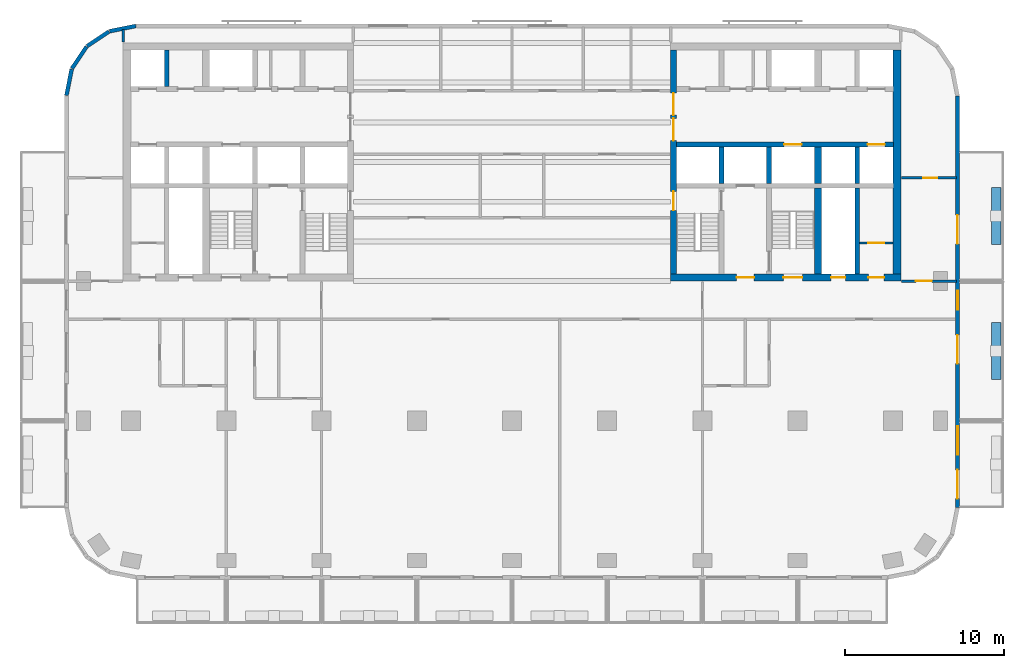
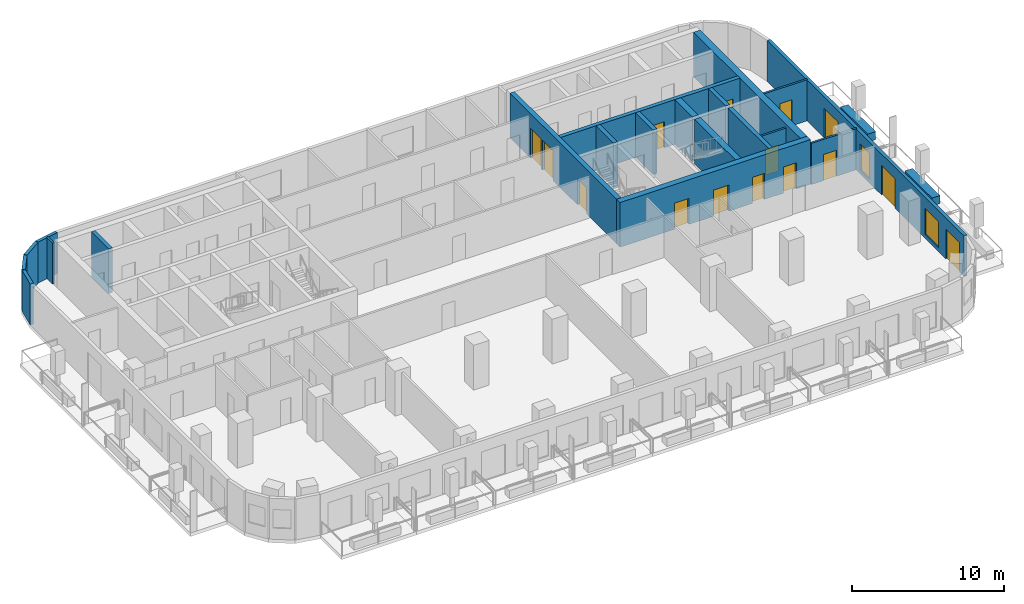
# One storey, part 5 of 11: 22 walls, 15 doors, 2 windows, 17 openings.
"""IFC4 building model written with IfcOpenShell, lengths in metres."""

from ifc_helpers import new_model, si_unit, direction, frame, frame_2d, origin, place, context, subcontext, project, spatial, rectangle, extrude, material, layer, layer_set, type_object, element, fill, save


model = new_model("IFC4")

# Units and contexts
model_context = context("Model", 3, precision=1e-05, world=origin(), true_north=direction((0.0, 1.0)))
body_context = subcontext(model_context, "Body", "Model", "MODEL_VIEW")
ifc_project = project(units=[si_unit("LENGTHUNIT", "METRE"), si_unit("AREAUNIT", "SQUARE_METRE"), si_unit("VOLUMEUNIT", "CUBIC_METRE"), si_unit("PLANEANGLEUNIT", "RADIAN"), si_unit("MASSUNIT", "GRAM", prefix="KILO")], contexts=[model_context])

# Site, building, storey
site_placement = place(None, origin())
site = spatial("IfcSite", under=ifc_project, at=site_placement, CompositionType="ELEMENT")
building_placement = place(site_placement, origin())
building = spatial("IfcBuilding", under=site, at=building_placement, Name="Torana Hotel and Residences", CompositionType="ELEMENT")
storey_placement = place(building_placement, frame((0.0, 0.0, 174.0)))
storey = spatial("IfcBuildingStorey", under=building, at=storey_placement, Name="L45", CompositionType="ELEMENT", Elevation=174.0)

# Wall
ifc_material_1 = material(Name="Concrete C70/85", Category="concrete")
ifc_layer_1 = layer(ifc_material_1, 0.300048828125)
ifc_layer_set_1 = layer_set([ifc_layer_1], Name="CORE WALL 300 C70/85")
wall_type_1 = type_object("IfcWallType", Name="CORE WALL 300 C70/85", PredefinedType="SHEAR", material=ifc_layer_set_1)
wall_1_placement = place(storey_placement, frame((-21.75, -2.75, 0.0), z_axis=(0.0, 0.0, 1.0), x_axis=(0.0, 1.0, 0.0)))
element("IfcWall", 1, at=wall_1_placement, inside=storey, type_object=wall_type_1, Name="Core wall W mm-N", PredefinedType="SHEAR", context=body_context, shape_type="SweptSolid", body=[
    extrude(rectangle(XDim=2.300048828125, YDim=0.300048828125, at=frame_2d((1.14990234375, 0.0))), origin(), (0.0, 0.0, 1.0), 3.60009765625),
])

# Wall, openings, doors
wall_2_placement = place(storey_placement, frame((10.35009765625, -6.39990234375, 0.0), z_axis=(0.0, 0.0, 1.0), x_axis=(1.0, 0.0, 0.0)))
wall_2 = element("IfcWall", 2, at=wall_2_placement, inside=storey, type_object=wall_type_1, Name="Core wall E row-S", PredefinedType="SHEAR", context=body_context, shape_type="SweptSolid", body=[
    extrude(rectangle(XDim=13.699951171875, YDim=0.300048828125, at=frame_2d((6.85009765625, 0.0))), origin(), (0.0, 0.0, 1.0), 3.60009765625),
])
opening_1_placement = place(wall_2_placement, frame((12.050048828125, 0.0, 0.0)))
opening_1 = element("IfcOpeningElement", 3, at=opening_1_placement, cuts=wall_2, Name="Opening LD", PredefinedType="OPENING", context=body_context, shape_type="SweptSolid", body=[
    extrude(rectangle(XDim=1.10009765625, YDim=2.10009765625, at=frame_2d((0.550048828125, 1.050048828125))), frame((0.0, 0.159912109375, 0.0), z_axis=(0.0, -1.0, 0.0), x_axis=(1.0, 0.0, 0.0)), (0.0, 0.0, 1.0), 0.320068359375),
])
opening_2_placement = place(wall_2_placement, frame((6.800048828125, 0.0, 0.0)))
opening_2 = element("IfcOpeningElement", 4, at=opening_2_placement, cuts=wall_2, Name="Opening LD", PredefinedType="OPENING", context=body_context, shape_type="SweptSolid", body=[
    extrude(rectangle(XDim=1.10009765625, YDim=2.10009765625, at=frame_2d((0.550048828125, 1.050048828125))), frame((0.0, 0.159912109375, 0.0), z_axis=(0.0, -1.0, 0.0), x_axis=(1.0, 0.0, 0.0)), (0.0, 0.0, 1.0), 0.320068359375),
])
ifc_material_2 = material(Name="Stainless steel 316", Category="steel")
door_type_1 = type_object("IfcDoorType", Name="LIFT LANDING DOOR LD 1100x2100", OperationType="DOUBLE_DOOR_SLIDING", PredefinedType="USERDEFINED", material=ifc_material_2)
door_1_placement = place(opening_1_placement, origin())
door_1 = element("IfcDoor", 5, at=door_1_placement, inside=storey, type_object=door_type_1, Name="Lift landing door M4 L45", ObjectType="LIFT LANDING DOOR", OperationType="DOUBLE_DOOR_SLIDING", OverallHeight=2.10009765625, OverallWidth=1.10009765625, PredefinedType="USERDEFINED", context=body_context, shape_type="SweptSolid", body=[
    extrude(rectangle(XDim=1.10009765625, YDim=2.10009765625, at=frame_2d((0.550048828125, 1.050048828125))), frame((0.0, 0.02490234375, 0.0), z_axis=(0.0, -1.0, 0.0), x_axis=(1.0, 0.0, 0.0)), (0.0, 0.0, 1.0), 0.050048828125),
])
fill(opening_1, door_1)
door_2_placement = place(opening_2_placement, origin())
door_2 = element("IfcDoor", 6, at=door_2_placement, inside=storey, type_object=door_type_1, Name="Lift landing door SV2 L45", ObjectType="LIFT LANDING DOOR", OperationType="DOUBLE_DOOR_SLIDING", OverallHeight=2.10009765625, OverallWidth=1.10009765625, PredefinedType="USERDEFINED", context=body_context, shape_type="SweptSolid", body=[
    extrude(rectangle(XDim=1.10009765625, YDim=2.10009765625, at=frame_2d((0.550048828125, 1.050048828125))), frame((0.0, 0.02490234375, 0.0), z_axis=(0.0, -1.0, 0.0), x_axis=(1.0, 0.0, 0.0)), (0.0, 0.0, 1.0), 0.050048828125),
])
fill(opening_2, door_2)

# Walls
for number, where, z_axis, x_axis, name in (
    (7, (13.199951171875, -8.85009765625, 0.0), (0.0, 0.0, 1.0), (0.0, 1.0, 0.0), "Core wall E x3.05-S"),
    (8, (16.199951171875, -8.85009765625, 0.0), (0.0, 0.0, 1.0), (0.0, 1.0, 0.0), "Core wall E x6.05-S"),
    (9, (21.75, -8.85009765625, 0.0), (0.0, 0.0, 1.0), (0.0, 1.0, 0.0), "Core wall E mm-S"),
):
    element("IfcWall", number, at=place(storey_placement, frame(where, z_axis=z_axis, x_axis=x_axis)), inside=storey, type_object=wall_type_1, Name=name, PredefinedType="SHEAR", context=body_context, shape_type="SweptSolid", body=[
        extrude(rectangle(XDim=2.300048828125, YDim=0.300048828125, at=frame_2d((1.14990234375, 0.0))), origin(), (0.0, 0.0, 1.0), 3.60009765625),
    ])
wall_3_placement = place(storey_placement, frame((21.75, -14.550048828125, 0.0), z_axis=(0.0, 0.0, 1.0), x_axis=(0.0, 1.0, 0.0)))
element("IfcWall", 10, at=wall_3_placement, inside=storey, type_object=wall_type_1, Name="Core wall E mm-band", PredefinedType="SHEAR", context=body_context, shape_type="SweptSolid", body=[
    extrude(rectangle(XDim=5.400146484375, YDim=0.300048828125, at=frame_2d((2.7001953125, 0.0))), origin(), (0.0, 0.0, 1.0), 3.60009765625),
])

# Wall, openings, doors
ifc_material_3 = material(Name="Concrete C70/85", Category="concrete")
ifc_layer_2 = layer(ifc_material_3, 0.35009765625)
ifc_layer_set_2 = layer_set([ifc_layer_2], Name="CORE WALL 350 C70/85")
wall_type_2 = type_object("IfcWallType", Name="CORE WALL 350 C70/85", PredefinedType="SHEAR", material=ifc_layer_set_2)
wall_4_placement = place(storey_placement, frame((10.175048828125, -14.550048828125, 0.0), z_axis=(0.0, 0.0, 1.0), x_axis=(0.0, 1.0, 0.0)))
wall_4 = element("IfcWall", 11, at=wall_4_placement, inside=storey, type_object=wall_type_2, Name="Core wall E arch", PredefinedType="SHEAR", context=body_context, shape_type="SweptSolid", body=[
    extrude(rectangle(XDim=14.10009765625, YDim=0.35009765625, at=frame_2d((7.050048828125, 0.0))), origin(), (0.0, 0.0, 1.0), 3.60009765625),
])
opening_3_placement = place(wall_4_placement, frame((8.39990234375, 0.0, 0.0)))
opening_3 = element("IfcOpeningElement", 12, at=opening_3_placement, cuts=wall_4, Name="Opening L45-15", PredefinedType="OPENING", context=body_context, shape_type="SweptSolid", body=[
    extrude(rectangle(XDim=1.39990234375, YDim=2.39990234375, at=frame_2d((0.699951171875, 1.199951171875))), frame((0.0, 0.18505859375, 0.0), z_axis=(0.0, -1.0, 0.0), x_axis=(1.0, 0.0, 0.0)), (0.0, 0.0, 1.0), 0.3701171875),
])
opening_4_placement = place(wall_4_placement, frame((10.0, 0.0, 0.0)))
opening_4 = element("IfcOpeningElement", 13, at=opening_4_placement, cuts=wall_4, Name="Opening L45-16", PredefinedType="OPENING", context=body_context, shape_type="SweptSolid", body=[
    extrude(rectangle(XDim=1.39990234375, YDim=2.39990234375, at=frame_2d((0.699951171875, 1.199951171875))), frame((0.0, 0.18505859375, 0.0), z_axis=(0.0, -1.0, 0.0), x_axis=(1.0, 0.0, 0.0)), (0.0, 0.0, 1.0), 0.3701171875),
])
opening_5_placement = place(wall_4_placement, frame((4.0, 0.0, 0.0)))
opening_5 = element("IfcOpeningElement", 14, at=opening_5_placement, cuts=wall_4, Name="Opening L45-17", PredefinedType="OPENING", context=body_context, shape_type="SweptSolid", body=[
    extrude(rectangle(XDim=1.199951171875, YDim=2.10009765625, at=frame_2d((0.60009765625, 1.050048828125))), frame((0.0, 0.18505859375, 0.0), z_axis=(0.0, -1.0, 0.0), x_axis=(1.0, 0.0, 0.0)), (0.0, 0.0, 1.0), 0.3701171875),
])
ifc_material_4 = material(Name="Steel S235", Category="steel")
door_type_2 = type_object("IfcDoorType", Name="LOBBY FIRE DOOR D4 1400x2400", OperationType="DOUBLE_DOOR_SINGLE_SWING", PredefinedType="DOOR", material=ifc_material_4)
door_3_placement = place(opening_3_placement, origin())
door_3 = element("IfcDoor", 15, at=door_3_placement, inside=storey, type_object=door_type_2, Name="Lobby-1 door L45", OperationType="DOUBLE_DOOR_SINGLE_SWING", OverallHeight=2.39990234375, OverallWidth=1.39990234375, PredefinedType="DOOR", context=body_context, shape_type="SweptSolid", body=[
    extrude(rectangle(XDim=1.39990234375, YDim=2.39990234375, at=frame_2d((0.699951171875, 1.199951171875))), frame((0.0, 0.02490234375, 0.0), z_axis=(0.0, -1.0, 0.0), x_axis=(1.0, 0.0, 0.0)), (0.0, 0.0, 1.0), 0.050048828125),
])
fill(opening_3, door_3)
door_4_placement = place(opening_4_placement, origin())
door_4 = element("IfcDoor", 16, at=door_4_placement, inside=storey, type_object=door_type_2, Name="Lobby-2 door L45", OperationType="DOUBLE_DOOR_SINGLE_SWING", OverallHeight=2.39990234375, OverallWidth=1.39990234375, PredefinedType="DOOR", context=body_context, shape_type="SweptSolid", body=[
    extrude(rectangle(XDim=1.39990234375, YDim=2.39990234375, at=frame_2d((0.699951171875, 1.199951171875))), frame((0.0, 0.02490234375, 0.0), z_axis=(0.0, -1.0, 0.0), x_axis=(1.0, 0.0, 0.0)), (0.0, 0.0, 1.0), 0.050048828125),
])
fill(opening_4, door_4)
ifc_material_5 = material(Name="Steel S235", Category="steel")
door_type_3 = type_object("IfcDoorType", Name="STAIR FIRE DOOR D3 1200x2100", OperationType="SINGLE_SWING_LEFT", PredefinedType="DOOR", material=ifc_material_5)
door_5_placement = place(opening_5_placement, frame((0.60009765625, 0.0, 0.0), z_axis=(0.0, 0.0, 1.0), x_axis=(-1.0, 0.0, 0.0)))
door_5 = element("IfcDoor", 17, at=door_5_placement, inside=storey, type_object=door_type_3, Name="Stair-A door L45", OperationType="SINGLE_SWING_RIGHT", OverallHeight=2.10009765625, OverallWidth=1.199951171875, PredefinedType="DOOR", context=body_context, shape_type="SweptSolid", body=[
    extrude(rectangle(XDim=1.199951171875, YDim=2.10009765625, at=frame_2d((0.0, 1.050048828125))), frame((0.0, -0.02490234375, 0.0), z_axis=(0.0, 1.0, 0.0), x_axis=(-1.0, 0.0, 0.0)), (0.0, 0.0, 1.0), 0.050048828125),
])
fill(opening_5, door_5)

ifc_material_6 = material(Name="Concrete C70/85", Category="concrete")
ifc_layer_3 = layer(ifc_material_6, 0.449951171875)
ifc_layer_set_3 = layer_set([ifc_layer_3], Name="CORE WALL 450 C70/85")
wall_type_3 = type_object("IfcWallType", Name="CORE WALL 450 C70/85", PredefinedType="SHEAR", material=ifc_layer_set_3)
wall_5_placement = place(storey_placement, frame((10.0, -14.77490234375, 0.0), z_axis=(0.0, 0.0, 1.0), x_axis=(1.0, 0.0, 0.0)))
wall_5 = element("IfcWall", 18, at=wall_5_placement, inside=storey, type_object=wall_type_3, Name="Core wall E front", PredefinedType="SHEAR", context=body_context, shape_type="SweptSolid", body=[
    extrude(rectangle(XDim=14.5, YDim=0.449951171875, at=frame_2d((7.25, 0.0))), origin(), (0.0, 0.0, 1.0), 3.60009765625),
])
opening_6_placement = place(wall_5_placement, frame((7.10009765625, 0.0, 0.0)))
opening_6 = element("IfcOpeningElement", 19, at=opening_6_placement, cuts=wall_5, Name="Opening L45-18", PredefinedType="OPENING", context=body_context, shape_type="SweptSolid", body=[
    extrude(rectangle(XDim=1.199951171875, YDim=2.10009765625, at=frame_2d((0.60009765625, 1.050048828125))), frame((0.0, 0.23486328125, 0.0), z_axis=(0.0, -1.0, 0.0), x_axis=(1.0, 0.0, 0.0)), (0.0, 0.0, 1.0), 0.469970703125),
])
opening_7_placement = place(wall_5_placement, frame((4.14990234375, 0.0, 0.0)))
opening_7 = element("IfcOpeningElement", 20, at=opening_7_placement, cuts=wall_5, Name="Opening L45-19", PredefinedType="OPENING", context=body_context, shape_type="SweptSolid", body=[
    extrude(rectangle(XDim=1.10009765625, YDim=2.10009765625, at=frame_2d((0.550048828125, 1.050048828125))), frame((0.0, 0.23486328125, 0.0), z_axis=(0.0, -1.0, 0.0), x_axis=(1.0, 0.0, 0.0)), (0.0, 0.0, 1.0), 0.469970703125),
])
opening_8_placement = place(wall_5_placement, frame((10.10009765625, 0.0, 0.0)))
opening_8 = element("IfcOpeningElement", 21, at=opening_8_placement, cuts=wall_5, Name="Opening L45-20", PredefinedType="OPENING", context=body_context, shape_type="SweptSolid", body=[
    extrude(rectangle(XDim=0.89990234375, YDim=2.10009765625, at=frame_2d((0.449951171875, 1.050048828125))), frame((0.0, 0.23486328125, 0.0), z_axis=(0.0, -1.0, 0.0), x_axis=(1.0, 0.0, 0.0)), (0.0, 0.0, 1.0), 0.469970703125),
])
opening_9_placement = place(wall_5_placement, frame((12.449951171875, 0.0, 0.0)))
opening_9 = element("IfcOpeningElement", 22, at=opening_9_placement, cuts=wall_5, Name="Opening L45-21", PredefinedType="OPENING", context=body_context, shape_type="SweptSolid", body=[
    extrude(rectangle(XDim=1.0, YDim=2.10009765625, at=frame_2d((0.5, 1.050048828125))), frame((0.0, 0.23486328125, 0.0), z_axis=(0.0, -1.0, 0.0), x_axis=(1.0, 0.0, 0.0)), (0.0, 0.0, 1.0), 0.469970703125),
])
ifc_material_7 = material(Name="Steel S235", Category="steel")
door_type_4 = type_object("IfcDoorType", Name="CORE ROOM FIRE DOOR D14 1000x2100", OperationType="SINGLE_SWING_LEFT", PredefinedType="DOOR", material=ifc_material_7)
door_6_placement = place(opening_9_placement, origin())
door_6 = element("IfcDoor", 23, at=door_6_placement, inside=storey, type_object=door_type_4, Name="M-Room-B door L45", OperationType="SINGLE_SWING_RIGHT", OverallHeight=2.10009765625, OverallWidth=1.0, PredefinedType="DOOR", context=body_context, shape_type="SweptSolid", body=[
    extrude(rectangle(XDim=1.0, YDim=2.10009765625, at=frame_2d((0.5, 1.050048828125))), frame((0.0, 0.02490234375, 0.0), z_axis=(0.0, -1.0, 0.0), x_axis=(1.0, 0.0, 0.0)), (0.0, 0.0, 1.0), 0.050048828125),
])
fill(opening_9, door_6)
ifc_material_8 = material(Name="Steel S235", Category="steel")
door_type_5 = type_object("IfcDoorType", Name="FIRE-FIGHTING LOBBY DOOR D8 1100x2100", OperationType="SINGLE_SWING_LEFT", PredefinedType="DOOR", material=ifc_material_8)
door_7_placement = place(opening_7_placement, origin())
door_7 = element("IfcDoor", 24, at=door_7_placement, inside=storey, type_object=door_type_5, Name="FF-lobby door L45", OperationType="SINGLE_SWING_RIGHT", OverallHeight=2.10009765625, OverallWidth=1.10009765625, PredefinedType="DOOR", context=body_context, shape_type="SweptSolid", body=[
    extrude(rectangle(XDim=1.10009765625, YDim=2.10009765625, at=frame_2d((0.550048828125, 1.050048828125))), frame((0.0, 0.02490234375, 0.0), z_axis=(0.0, -1.0, 0.0), x_axis=(1.0, 0.0, 0.0)), (0.0, 0.0, 1.0), 0.050048828125),
])
fill(opening_7, door_7)
ifc_material_9 = material(Name="Steel S235", Category="steel")
door_type_6 = type_object("IfcDoorType", Name="RISER ACCESS DOOR D5 900x2100", OperationType="SINGLE_SWING_LEFT", PredefinedType="DOOR", material=ifc_material_9)
door_8_placement = place(opening_8_placement, origin())
door_8 = element("IfcDoor", 25, at=door_8_placement, inside=storey, type_object=door_type_6, Name="M-Riser door L45", OperationType="SINGLE_SWING_RIGHT", OverallHeight=2.10009765625, OverallWidth=0.89990234375, PredefinedType="DOOR", context=body_context, shape_type="SweptSolid", body=[
    extrude(rectangle(XDim=0.89990234375, YDim=2.10009765625, at=frame_2d((0.449951171875, 1.050048828125))), frame((0.0, 0.02490234375, 0.0), z_axis=(0.0, -1.0, 0.0), x_axis=(1.0, 0.0, 0.0)), (0.0, 0.0, 1.0), 0.050048828125),
])
fill(opening_8, door_8)
door_9_placement = place(opening_6_placement, origin())
door_9 = element("IfcDoor", 26, at=door_9_placement, inside=storey, type_object=door_type_3, Name="Stair-B door L45", OperationType="SINGLE_SWING_RIGHT", OverallHeight=2.10009765625, OverallWidth=1.199951171875, PredefinedType="DOOR", context=body_context, shape_type="SweptSolid", body=[
    extrude(rectangle(XDim=1.199951171875, YDim=2.10009765625, at=frame_2d((0.60009765625, 1.050048828125))), frame((0.0, 0.02490234375, 0.0), z_axis=(0.0, -1.0, 0.0), x_axis=(1.0, 0.0, 0.0)), (0.0, 0.0, 1.0), 0.050048828125),
])
fill(opening_6, door_9)

# Walls
wall_6_placement = place(storey_placement, frame((19.27490234375, -8.85009765625, 0.0), z_axis=(0.0, 0.0, 1.0), x_axis=(0.0, 1.0, 0.0)))
element("IfcWall", 27, at=wall_6_placement, inside=storey, type_object=wall_type_3, Name="Core wall E hm-S", PredefinedType="SHEAR", context=body_context, shape_type="SweptSolid", body=[
    extrude(rectangle(XDim=2.300048828125, YDim=0.449951171875, at=frame_2d((1.14990234375, 0.0))), origin(), (0.0, 0.0, 1.0), 3.60009765625),
])
wall_7_placement = place(storey_placement, frame((19.27490234375, -14.550048828125, 0.0), z_axis=(0.0, 0.0, 1.0), x_axis=(0.0, 1.0, 0.0)))
element("IfcWall", 28, at=wall_7_placement, inside=storey, type_object=wall_type_3, Name="Core wall E hm-band", PredefinedType="SHEAR", context=body_context, shape_type="SweptSolid", body=[
    extrude(rectangle(XDim=5.400146484375, YDim=0.449951171875, at=frame_2d((2.7001953125, 0.0))), origin(), (0.0, 0.0, 1.0), 3.60009765625),
])
ifc_material_10 = material(Name="Concrete C70/85", Category="concrete")
ifc_layer_4 = layer(ifc_material_10, 0.5)
ifc_layer_set_4 = layer_set([ifc_layer_4], Name="CORE WALL 500 C70/85")
wall_type_4 = type_object("IfcWallType", Name="CORE WALL 500 C70/85", PredefinedType="SHEAR", material=ifc_layer_set_4)
wall_8_placement = place(storey_placement, frame((24.25, -14.550048828125, 0.0), z_axis=(0.0, 0.0, 1.0), x_axis=(0.0, 1.0, 0.0)))
element("IfcWall", 29, at=wall_8_placement, inside=storey, type_object=wall_type_4, Name="Core wall E outer", PredefinedType="SHEAR", context=body_context, shape_type="SweptSolid", body=[
    extrude(rectangle(XDim=14.10009765625, YDim=0.5, at=frame_2d((7.050048828125, 0.0))), origin(), (0.0, 0.0, 1.0), 3.60009765625),
])
ifc_material_11 = material(Name="Black aluminium composite panel", Category="aluminium")
ifc_layer_5 = layer(ifc_material_11, 0.00390625, Name="Cladding", Category="cladding")
ifc_material_12 = material(Name="Ventilated air cavity")
ifc_layer_6 = layer(ifc_material_12, 0.0400390625, Name="Ventilated cavity", Category="cavity")
ifc_material_13 = material(Name="Mineral wool insulation")
ifc_layer_7 = layer(ifc_material_13, 0.090087890625, Name="Insulation", Category="insulation")
ifc_material_14 = material(Name="Steel S280GD", Category="steel")
ifc_layer_8 = layer(ifc_material_14, 0.092041015625, Name="Steel stud frame", Category="structure")
ifc_material_15 = material(Name="Fire rated plasterboard")
ifc_layer_9 = layer(ifc_material_15, 0.011962890625, Name="Inner board", Category="finish")
ifc_layer_10 = layer(ifc_material_15, 0.011962890625, Name="Second board", Category="finish")
ifc_layer_set_5 = layer_set([ifc_layer_5, ifc_layer_6, ifc_layer_7, ifc_layer_8, ifc_layer_9, ifc_layer_10], Name="EW1 EXTERNAL WALL BLACK METAL CLAD 250")
wall_type_5 = type_object("IfcWallType", Name="EW1 EXTERNAL WALL BLACK METAL CLAD 250", PredefinedType="SOLIDWALL", material=ifc_layer_set_5)
wall_9_placement = place(storey_placement, frame((-23.69970703125, 1.072509765625, 0.0), z_axis=(0.0, 0.0, 1.0), x_axis=(-0.980803419081, -0.194999110559, 0.0)))
element("IfcWall", 30, at=wall_9_placement, inside=storey, type_object=wall_type_5, Name="External wall L45 e0.5", PredefinedType="SOLIDWALL", context=body_context, shape_type="SweptSolid", body=[
    extrude(rectangle(XDim=1.681396484375, YDim=0.25, at=frame_2d((0.8408203125, 0.0))), origin(), (0.0, 0.0, 1.0), 3.300048828125),
])
for number, where, z_axis, x_axis, name in (
    (31, (-25.39404296875, 0.725830078125, 0.0), (0.0, 0.0, 1.0), (-0.831482937015, -0.55555029066, 0.0), "External wall L45 e0.6"),
    (32, (-26.8056640625, -0.228759765625, 0.0), (0.0, 0.0, 1.0), (-0.55555029066, -0.831482937015, 0.0), "External wall L45 e0.7"),
):
    element("IfcWall", number, at=place(storey_placement, frame(where, z_axis=z_axis, x_axis=x_axis)), inside=storey, type_object=wall_type_5, Name=name, PredefinedType="SOLIDWALL", context=body_context, shape_type="SweptSolid", body=[
        extrude(rectangle(XDim=1.65625, YDim=0.25, at=frame_2d((0.828125, 0.0))), origin(), (0.0, 0.0, 1.0), 3.300048828125),
    ])
wall_10_placement = place(storey_placement, frame((-27.74462890625, -1.651123046875, 0.0), z_axis=(0.0, 0.0, 1.0), x_axis=(-0.194999110559, -0.980803419081, 0.0)))
element("IfcWall", 33, at=wall_10_placement, inside=storey, type_object=wall_type_5, Name="External wall L45 e0.8", PredefinedType="SOLIDWALL", context=body_context, shape_type="SweptSolid", body=[
    extrude(rectangle(XDim=1.681396484375, YDim=0.25, at=frame_2d((0.8408203125, 0.0))), origin(), (0.0, 0.0, 1.0), 3.300048828125),
])

# Wall, openings, doors, windows
wall_11_placement = place(storey_placement, frame((28.074951171875, -29.275390625, 0.0), z_axis=(0.0, 0.0, 1.0), x_axis=(0.0, 1.0, 0.0)))
wall_11 = element("IfcWall", 34, at=wall_11_placement, inside=storey, type_object=wall_type_5, Name="External wall L45 e0.19", PredefinedType="SOLIDWALL", context=body_context, shape_type="SweptSolid", body=[
    extrude(rectangle(XDim=25.95068359375, YDim=0.25, at=frame_2d((12.975341796875, 0.0))), origin(), (0.0, 0.0, 1.0), 3.300048828125),
])
opening_10_placement = place(wall_11_placement, frame((0.575439453125, 0.0, 0.0)))
opening_10 = element("IfcOpeningElement", 35, at=opening_10_placement, cuts=wall_11, Name="Opening L45-E09", PredefinedType="OPENING", context=body_context, shape_type="SweptSolid", body=[
    extrude(rectangle(XDim=1.800048828125, YDim=2.39990234375, at=frame_2d((0.89990234375, 1.199951171875))), frame((0.0, 0.135009765625, 0.0), z_axis=(0.0, -1.0, 0.0), x_axis=(1.0, 0.0, 0.0)), (0.0, 0.0, 1.0), 0.27001953125),
])
opening_11_placement = place(wall_11_placement, frame((3.325439453125, 0.0, 0.300048828125)))
opening_11 = element("IfcOpeningElement", 36, at=opening_11_placement, cuts=wall_11, Name="Opening W2", PredefinedType="OPENING", context=body_context, shape_type="SweptSolid", body=[
    extrude(rectangle(XDim=1.800048828125, YDim=2.10009765625, at=frame_2d((0.89990234375, 1.050048828125))), frame((0.0, 0.135009765625, 0.0), z_axis=(0.0, -1.0, 0.0), x_axis=(1.0, 0.0, 0.0)), (0.0, 0.0, 1.0), 0.27001953125),
])
opening_12_placement = place(wall_11_placement, frame((9.075439453125, 0.0, 0.0)))
opening_12 = element("IfcOpeningElement", 37, at=opening_12_placement, cuts=wall_11, Name="Opening L45-E10", PredefinedType="OPENING", context=body_context, shape_type="SweptSolid", body=[
    extrude(rectangle(XDim=1.800048828125, YDim=2.39990234375, at=frame_2d((0.89990234375, 1.199951171875))), frame((0.0, 0.135009765625, 0.0), z_axis=(0.0, -1.0, 0.0), x_axis=(1.0, 0.0, 0.0)), (0.0, 0.0, 1.0), 0.27001953125),
])
opening_13_placement = place(wall_11_placement, frame((12.475341796875, 0.0, 0.300048828125)))
opening_13 = element("IfcOpeningElement", 38, at=opening_13_placement, cuts=wall_11, Name="Opening W7", PredefinedType="OPENING", context=body_context, shape_type="SweptSolid", body=[
    extrude(rectangle(XDim=1.199951171875, YDim=2.10009765625, at=frame_2d((0.60009765625, 1.050048828125))), frame((0.0, 0.135009765625, 0.0), z_axis=(0.0, -1.0, 0.0), x_axis=(1.0, 0.0, 0.0)), (0.0, 0.0, 1.0), 0.27001953125),
])
opening_14_placement = place(wall_11_placement, frame((16.62548828125, 0.0, 0.0)))
opening_14 = element("IfcOpeningElement", 39, at=opening_14_placement, cuts=wall_11, Name="Opening L45-E11", PredefinedType="OPENING", context=body_context, shape_type="SweptSolid", body=[
    extrude(rectangle(XDim=1.800048828125, YDim=2.39990234375, at=frame_2d((0.89990234375, 1.199951171875))), frame((0.0, 0.135009765625, 0.0), z_axis=(0.0, -1.0, 0.0), x_axis=(1.0, 0.0, 0.0)), (0.0, 0.0, 1.0), 0.27001953125),
])
ifc_material_16 = material(Name="Dark glass in black aluminium frame", Category="aluminium")
door_type_7 = type_object("IfcDoorType", Name="DB1 BALCONY DOOR 1800x2400", OperationType="DOUBLE_DOOR_SINGLE_SWING", PredefinedType="DOOR", material=ifc_material_16)
door_10_placement = place(opening_10_placement, origin())
door_10 = element("IfcDoor", 40, at=door_10_placement, inside=storey, type_object=door_type_7, Name="Balcony door L45", OperationType="DOUBLE_DOOR_SINGLE_SWING", OverallHeight=2.39990234375, OverallWidth=1.800048828125, PredefinedType="DOOR", context=body_context, shape_type="SweptSolid", body=[
    extrude(rectangle(XDim=1.800048828125, YDim=2.39990234375, at=frame_2d((0.89990234375, 1.199951171875))), frame((0.0, 0.02490234375, 0.0), z_axis=(0.0, -1.0, 0.0), x_axis=(1.0, 0.0, 0.0)), (0.0, 0.0, 1.0), 0.050048828125),
])
fill(opening_10, door_10)
door_11_placement = place(opening_12_placement, origin())
door_11 = element("IfcDoor", 41, at=door_11_placement, inside=storey, type_object=door_type_7, Name="Balcony door L45", OperationType="DOUBLE_DOOR_SINGLE_SWING", OverallHeight=2.39990234375, OverallWidth=1.800048828125, PredefinedType="DOOR", context=body_context, shape_type="SweptSolid", body=[
    extrude(rectangle(XDim=1.800048828125, YDim=2.39990234375, at=frame_2d((0.89990234375, 1.199951171875))), frame((0.0, 0.02490234375, 0.0), z_axis=(0.0, -1.0, 0.0), x_axis=(1.0, 0.0, 0.0)), (0.0, 0.0, 1.0), 0.050048828125),
])
fill(opening_12, door_11)
door_12_placement = place(opening_14_placement, origin())
door_12 = element("IfcDoor", 42, at=door_12_placement, inside=storey, type_object=door_type_7, Name="Balcony door L45", OperationType="DOUBLE_DOOR_SINGLE_SWING", OverallHeight=2.39990234375, OverallWidth=1.800048828125, PredefinedType="DOOR", context=body_context, shape_type="SweptSolid", body=[
    extrude(rectangle(XDim=1.800048828125, YDim=2.39990234375, at=frame_2d((0.89990234375, 1.199951171875))), frame((0.0, 0.02490234375, 0.0), z_axis=(0.0, -1.0, 0.0), x_axis=(1.0, 0.0, 0.0)), (0.0, 0.0, 1.0), 0.050048828125),
])
fill(opening_14, door_12)
ifc_material_17 = material(Name="Dark glass in black aluminium frame", Category="aluminium")
window_type_1 = type_object("IfcWindowType", Name="W2 HOTEL ROOM WINDOW NARROW 1800x2100", PartitioningType="SINGLE_PANEL", PredefinedType="WINDOW", material=ifc_material_17)
window_1_placement = place(opening_11_placement, origin())
window_1 = element("IfcWindow", 43, at=window_1_placement, inside=storey, type_object=window_type_1, Name="Window L45", OverallHeight=2.10009765625, OverallWidth=1.800048828125, PartitioningType="SINGLE_PANEL", PredefinedType="WINDOW", context=body_context, shape_type="SweptSolid", body=[
    extrude(rectangle(XDim=1.800048828125, YDim=2.10009765625, at=frame_2d((0.89990234375, 1.050048828125))), frame((0.0, 0.030029296875, 0.0), z_axis=(0.0, -1.0, 0.0), x_axis=(1.0, 0.0, 0.0)), (0.0, 0.0, 1.0), 0.06005859375),
])
fill(opening_11, window_1)
ifc_material_18 = material(Name="Dark glass in black aluminium frame", Category="aluminium")
window_type_2 = type_object("IfcWindowType", Name="W7 HOTEL CORRIDOR WINDOW 1200x2100", PartitioningType="SINGLE_PANEL", PredefinedType="WINDOW", material=ifc_material_18)
window_2_placement = place(opening_13_placement, origin())
window_2 = element("IfcWindow", 44, at=window_2_placement, inside=storey, type_object=window_type_2, Name="Window L45", OverallHeight=2.10009765625, OverallWidth=1.199951171875, PartitioningType="SINGLE_PANEL", PredefinedType="WINDOW", context=body_context, shape_type="SweptSolid", body=[
    extrude(rectangle(XDim=1.199951171875, YDim=2.10009765625, at=frame_2d((0.60009765625, 1.050048828125))), frame((0.0, 0.030029296875, 0.0), z_axis=(0.0, -1.0, 0.0), x_axis=(1.0, 0.0, 0.0)), (0.0, 0.0, 1.0), 0.06005859375),
])
fill(opening_13, window_2)

# Wall, opening, door
ifc_material_19 = material(Name="Gypsum plaster")
ifc_layer_11 = layer(ifc_material_19, 0.014892578125, Name="Plaster", Category="finish")
ifc_material_20 = material(Name="Concrete blockwork", Category="masonry")
ifc_layer_12 = layer(ifc_material_20, 0.1201171875, Name="Blockwork", Category="structure")
ifc_layer_13 = layer(ifc_material_19, 0.014892578125, Name="Plaster", Category="finish")
ifc_layer_set_6 = layer_set([ifc_layer_11, ifc_layer_12, ifc_layer_13], Name="FIRE PARTITION 150 BLOCKWORK")
wall_type_6 = type_object("IfcWallType", Name="FIRE PARTITION 150 BLOCKWORK", PredefinedType="PARTITIONING", material=ifc_layer_set_6)
wall_12_placement = place(storey_placement, frame((21.89990234375, -12.60009765625, 0.0), z_axis=(0.0, 0.0, 1.0), x_axis=(1.0, 0.0, 0.0)))
wall_12 = element("IfcWall", 45, at=wall_12_placement, inside=storey, type_object=wall_type_6, Name="Core partition L45", PredefinedType="PARTITIONING", context=body_context, shape_type="SweptSolid", body=[
    extrude(rectangle(XDim=2.10009765625, YDim=0.14990234375, at=frame_2d((1.050048828125, 0.0))), origin(), (0.0, 0.0, 1.0), 3.300048828125),
])
opening_15_placement = place(wall_12_placement, frame((0.550048828125, 0.0, 0.0)))
opening_15 = element("IfcOpeningElement", 46, at=opening_15_placement, cuts=wall_12, Name="Opening L45-30", PredefinedType="OPENING", context=body_context, shape_type="SweptSolid", body=[
    extrude(rectangle(XDim=1.0, YDim=2.10009765625, at=frame_2d((0.5, 1.050048828125))), frame((0.0, 0.0849609375, 0.0), z_axis=(0.0, -1.0, 0.0), x_axis=(1.0, 0.0, 0.0)), (0.0, 0.0, 1.0), 0.169921875),
])
door_13_placement = place(opening_15_placement, origin())
door_13 = element("IfcDoor", 47, at=door_13_placement, inside=storey, type_object=door_type_4, Name="Plant room door L45", OperationType="SINGLE_SWING_RIGHT", OverallHeight=2.10009765625, OverallWidth=1.0, PredefinedType="DOOR", context=body_context, shape_type="SweptSolid", body=[
    extrude(rectangle(XDim=1.0, YDim=2.10009765625, at=frame_2d((0.5, 1.050048828125))), frame((0.0, 0.02490234375, 0.0), z_axis=(0.0, -1.0, 0.0), x_axis=(1.0, 0.0, 0.0)), (0.0, 0.0, 1.0), 0.050048828125),
])
fill(opening_15, door_13)

wall_13_placement = place(storey_placement, frame((24.550048828125, -15.0, 0.0), z_axis=(0.0, 0.0, 1.0), x_axis=(1.0, 0.0, 0.0)))
wall_13 = element("IfcWall", 48, at=wall_13_placement, inside=storey, type_object=wall_type_6, Name="Partition L45", PredefinedType="PARTITIONING", context=body_context, shape_type="SweptSolid", body=[
    extrude(rectangle(XDim=3.469970703125, YDim=0.14990234375, at=frame_2d((1.73486328125, 0.0))), origin(), (0.0, 0.0, 1.0), 3.320068359375),
])
opening_16_placement = place(wall_13_placement, frame((0.89990234375, 0.0, 0.0)))
opening_16 = element("IfcOpeningElement", 49, at=opening_16_placement, cuts=wall_13, Name="Opening L45-37", PredefinedType="OPENING", context=body_context, shape_type="SweptSolid", body=[
    extrude(rectangle(XDim=1.0, YDim=2.10009765625, at=frame_2d((0.5, 1.050048828125))), frame((0.0, 0.0849609375, 0.0), z_axis=(0.0, -1.0, 0.0), x_axis=(1.0, 0.0, 0.0)), (0.0, 0.0, 1.0), 0.169921875),
])
door_14_placement = place(opening_16_placement, origin())
door_14 = element("IfcDoor", 50, at=door_14_placement, inside=storey, type_object=door_type_4, Name="Door L45", OperationType="SINGLE_SWING_LEFT", OverallHeight=2.10009765625, OverallWidth=1.0, PredefinedType="DOOR", context=body_context, shape_type="SweptSolid", body=[
    extrude(rectangle(XDim=1.0, YDim=2.10009765625, at=frame_2d((0.5, 1.050048828125))), frame((0.0, 0.02490234375, 0.0), z_axis=(0.0, -1.0, 0.0), x_axis=(1.0, 0.0, 0.0)), (0.0, 0.0, 1.0), 0.050048828125),
])
fill(opening_16, door_14)

# Wall
ifc_material_21 = material(Name="Gypsum plasterboard")
ifc_layer_14 = layer(ifc_material_21, 0.012451171875, Name="Plasterboard", Category="finish")
ifc_layer_15 = layer(ifc_material_21, 0.012451171875, Name="Plasterboard", Category="finish")
ifc_layer_16 = layer(ifc_material_14, 0.10009765625, Name="Steel studs with mineral wool", Category="insulation")
ifc_layer_17 = layer(ifc_material_21, 0.012451171875, Name="Plasterboard", Category="finish")
ifc_layer_18 = layer(ifc_material_21, 0.012451171875, Name="Plasterboard", Category="finish")
ifc_layer_set_7 = layer_set([ifc_layer_14, ifc_layer_15, ifc_layer_16, ifc_layer_17, ifc_layer_18], Name="PARTITION 150 PLASTERBOARD")
wall_type_7 = type_object("IfcWallType", Name="PARTITION 150 PLASTERBOARD", PredefinedType="PARTITIONING", material=ifc_layer_set_7)
wall_14_placement = place(storey_placement, frame((-24.5, 0.050048828125, 0.0), z_axis=(0.0, 0.0, 1.0), x_axis=(0.0, 1.0, 0.0)))
element("IfcWall", 51, at=wall_14_placement, inside=storey, type_object=wall_type_7, Name="Partition L45", PredefinedType="PARTITIONING", context=body_context, shape_type="SweptSolid", body=[
    extrude(rectangle(XDim=0.807373046875, YDim=0.14990234375, at=frame_2d((0.40380859375, 0.0))), origin(), (0.0, 0.0, 1.0), 3.320068359375),
])

# Wall, opening, door
wall_15_placement = place(storey_placement, frame((24.550048828125, -8.5, 0.0), z_axis=(0.0, 0.0, 1.0), x_axis=(1.0, 0.0, 0.0)))
wall_15 = element("IfcWall", 52, at=wall_15_placement, inside=storey, type_object=wall_type_7, Name="Partition L45", PredefinedType="PARTITIONING", context=body_context, shape_type="SweptSolid", body=[
    extrude(rectangle(XDim=3.469970703125, YDim=0.14990234375, at=frame_2d((1.73486328125, 0.0))), origin(), (0.0, 0.0, 1.0), 3.320068359375),
])
opening_17_placement = place(wall_15_placement, frame((1.35009765625, 0.0, 0.0)))
opening_17 = element("IfcOpeningElement", 53, at=opening_17_placement, cuts=wall_15, Name="Opening L45-56", PredefinedType="OPENING", context=body_context, shape_type="SweptSolid", body=[
    extrude(rectangle(XDim=0.89990234375, YDim=2.10009765625, at=frame_2d((0.449951171875, 1.050048828125))), frame((0.0, 0.0849609375, 0.0), z_axis=(0.0, -1.0, 0.0), x_axis=(1.0, 0.0, 0.0)), (0.0, 0.0, 1.0), 0.169921875),
])
ifc_material_22 = material(Name="Timber door, oiled ash", Category="wood")
door_type_8 = type_object("IfcDoorType", Name="ROOM DOOR D7 900x2100", OperationType="SINGLE_SWING_LEFT", PredefinedType="DOOR", material=ifc_material_22)
door_15_placement = place(opening_17_placement, origin())
door_15 = element("IfcDoor", 54, at=door_15_placement, inside=storey, type_object=door_type_8, Name="Door L45", OperationType="SINGLE_SWING_LEFT", OverallHeight=2.10009765625, OverallWidth=0.89990234375, PredefinedType="DOOR", context=body_context, shape_type="SweptSolid", body=[
    extrude(rectangle(XDim=0.89990234375, YDim=2.10009765625, at=frame_2d((0.449951171875, 1.050048828125))), frame((0.0, 0.02490234375, 0.0), z_axis=(0.0, -1.0, 0.0), x_axis=(1.0, 0.0, 0.0)), (0.0, 0.0, 1.0), 0.050048828125),
])
fill(opening_17, door_15)

# Walls
ifc_material_23 = material(Name="Concrete C40/50 precast", Category="concrete")
ifc_layer_19 = layer(ifc_material_23, 0.10009765625, Name="Planter shell", Category="structure")
ifc_material_24 = material(Name="Root resistant membrane")
ifc_layer_20 = layer(ifc_material_24, 0.00390625, Name="Waterproofing membrane", Category="membrane")
ifc_material_25 = material(Name="Drainage board with filter fleece")
ifc_layer_21 = layer(ifc_material_25, 0.02001953125, Name="Drainage board", Category="drainage")
ifc_material_26 = material(Name="Growing medium")
ifc_layer_22 = layer(ifc_material_26, 0.47607421875, Name="Planting substrate", Category="soil")
ifc_layer_set_8 = layer_set([ifc_layer_19, ifc_layer_20, ifc_layer_21, ifc_layer_22], Name="PL1 BALCONY PLANTER 600")
wall_type_8 = type_object("IfcWallType", Name="PL1 BALCONY PLANTER 600", PredefinedType="USERDEFINED", material=ifc_layer_set_8)
for number, where, z_axis, x_axis, name in (
    (55, (30.5, -17.60009765625, 0.0), (0.0, 0.0, 1.0), (0.0, -1.0, 0.0), "Planter 13"),
    (56, (30.5, -9.10009765625, 0.0), (0.0, 0.0, 1.0), (0.0, -1.0, 0.0), "Planter 14"),
):
    element("IfcWall", number, at=place(storey_placement, frame(where, z_axis=z_axis, x_axis=x_axis)), inside=storey, type_object=wall_type_8, Name=name, ObjectType="PLANTER", PredefinedType="USERDEFINED", context=body_context, shape_type="SweptSolid", body=[
        extrude(rectangle(XDim=3.599853515625, YDim=0.60009765625, at=frame_2d((1.7998046875, 0.0))), origin(), (0.0, 0.0, 1.0), 0.64990234375),
    ])

save(model, "model.ifc")
